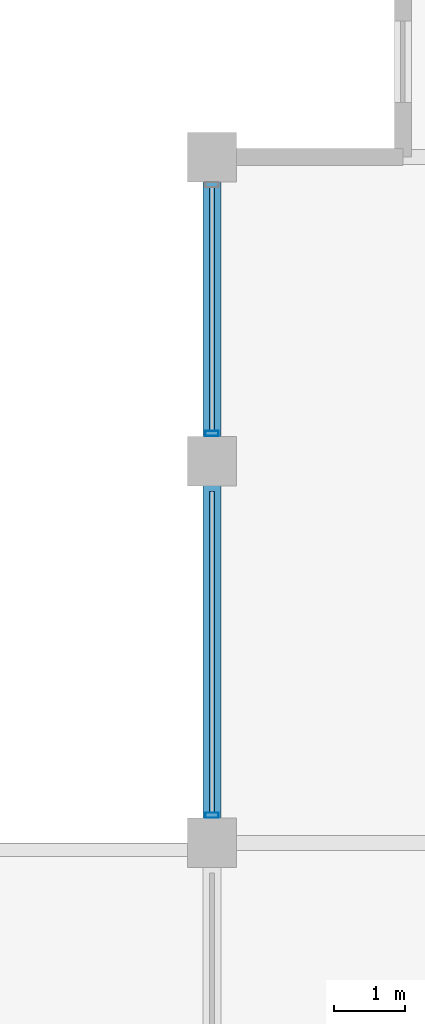
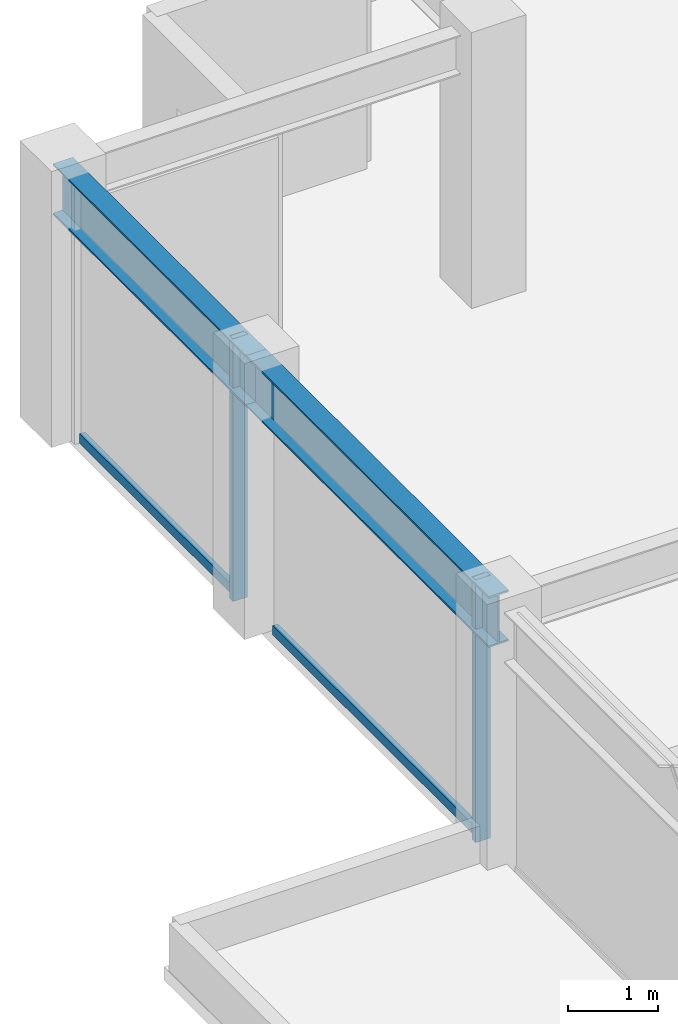
# One storey, part 12 of 31: 4 members, 2 beams, 1 element without a shape of its own.
"""IFC4 building model written with IfcOpenShell, lengths in metres."""

from ifc_helpers import new_model, si_unit, direction, frame, origin, origin_2d, place, context, subcontext, project, spatial, hollow_rectangle, i_section, extrude, material, layer, layer_set, material_profile, profile_set, type_object, element, aggregate, save


model = new_model("IFC4")

# Units and contexts
model_context = context("Model", 3, precision=1e-05, world=origin(), true_north=direction((0.0, 1.0)))
body_context = subcontext(model_context, "Body", "Model", "MODEL_VIEW")
ifc_project = project(units=[si_unit("LENGTHUNIT", "METRE"), si_unit("AREAUNIT", "SQUARE_METRE"), si_unit("VOLUMEUNIT", "CUBIC_METRE"), si_unit("PLANEANGLEUNIT", "RADIAN"), si_unit("MASSUNIT", "GRAM", prefix="KILO")], contexts=[model_context])

# Site, building, storey
site_placement = place(None, origin())
site = spatial("IfcSite", under=ifc_project, at=site_placement, CompositionType="ELEMENT")
building_placement = place(site_placement, origin())
building = spatial("IfcBuilding", under=site, at=building_placement, Name="Surkhivell Harbour Commons", CompositionType="ELEMENT")
storey_placement = place(building_placement, frame((0.0, 0.0, 270.0)))
storey = spatial("IfcBuildingStorey", under=building, at=storey_placement, Name="L70", CompositionType="ELEMENT", Elevation=270.0)

# Beams
ifc_material_1 = material(Name="Steel S355", Category="steel")
ifc_material_profile_1 = material_profile(ifc_material_1, i_section(OverallWidth=0.256103515625, OverallDepth=0.693115234375, WebThickness=0.014404296875, FlangeThickness=0.023681640625, at=origin_2d()), Name="UB686x254x170")
ifc_profile_set_1 = profile_set([ifc_material_profile_1], Name="Steel S355")
beam_type = type_object("IfcBeamType", Name="BM-SPN-686", PredefinedType="SPANDREL", material=ifc_profile_set_1)
beam_1_placement = place(storey_placement, frame((-27.0, 10.800048828125, 3.223388671875), z_axis=(0.0, 1.0, 0.0), x_axis=(-1.0, 0.0, 0.0)))
element("IfcBeam", 1, at=beam_1_placement, inside=storey, type_object=beam_type, Name="L70 Tube Spandrel (-27.0,10.8)", PredefinedType="SPANDREL", context=body_context, shape_type="SweptSolid", body=[
    extrude(i_section(OverallWidth=0.256103515625, OverallDepth=0.693115234375, WebThickness=0.014404296875, FlangeThickness=0.023681640625, at=origin_2d()), origin(), (0.0, 0.0, 1.0), 5.39990234375),
])
beam_2_placement = place(storey_placement, frame((-27.0, 16.199951171875, 3.223388671875), z_axis=(0.0, 1.0, 0.0), x_axis=(-1.0, 0.0, 0.0)))
element("IfcBeam", 2, at=beam_2_placement, inside=storey, type_object=beam_type, Name="L70 Tube Spandrel (-27.0,16.2)", PredefinedType="SPANDREL", context=body_context, shape_type="SweptSolid", body=[
    extrude(i_section(OverallWidth=0.256103515625, OverallDepth=0.693115234375, WebThickness=0.014404296875, FlangeThickness=0.023681640625, at=origin_2d()), origin(), (0.0, 0.0, 1.0), 4.300048828125),
])

# Curtain wall, members
ifc_material_2 = material(Name="Anodised pale-metal aluminium and insulated glazing", Category="aluminium")
ifc_layer = layer(ifc_material_2, 0.175048828125)
ifc_layer_set = layer_set([ifc_layer], Name="Anodised pale-metal aluminium and insulated glazing")
curtain_wall_type = type_object("IfcCurtainWallType", Name="CW-SYS-Z4", PredefinedType="NOTDEFINED", material=ifc_layer_set)
curtain_wall_placement = place(storey_placement, origin())
curtain_wall = element("IfcCurtainWall", 3, at=curtain_wall_placement, inside=storey, type_object=curtain_wall_type, Name="L70 Curtain Wall CW-L70-E12R2", PredefinedType="NOTDEFINED")
ifc_material_3 = material(Name="Anodised pale-metal aluminium alloy 6063-T6", Category="aluminium")
ifc_material_profile_2 = material_profile(ifc_material_3, hollow_rectangle(XDim=0.074951171875, YDim=0.18994140625, WallThickness=0.00390625, at=origin_2d()), Name="ALU-MULL-75x190")
ifc_profile_set_2 = profile_set([ifc_material_profile_2], Name="Anodised pale-metal aluminium alloy 6063-T6")
member_type_1 = type_object("IfcMemberType", Name="CWM-190", PredefinedType="MULLION", material=ifc_profile_set_2)
member_1_placement = place(storey_placement, frame((-27.0, 11.189453125, 0.0), z_axis=(0.0, 0.0, 1.0), x_axis=(0.0, 1.0, 0.0)))
member_1 = element("IfcMember", 4, at=member_1_placement, type_object=member_type_1, Name="CW-Z4 mullion 2", PredefinedType="MULLION", context=body_context, shape_type="SweptSolid", body=[
    extrude(hollow_rectangle(XDim=0.074951171875, YDim=0.18994140625, WallThickness=0.00390625, at=origin_2d()), origin(), (0.0, 0.0, 1.0), 3.570068359375),
])
member_2_placement = place(storey_placement, frame((-27.0, 16.589599609375, 0.0), z_axis=(0.0, 0.0, 1.0), x_axis=(0.0, 1.0, 0.0)))
member_2 = element("IfcMember", 5, at=member_2_placement, type_object=member_type_1, Name="CW-Z4 mullion 3", PredefinedType="MULLION", context=body_context, shape_type="SweptSolid", body=[
    extrude(hollow_rectangle(XDim=0.074951171875, YDim=0.18994140625, WallThickness=0.00390625, at=origin_2d()), origin(), (0.0, 0.0, 1.0), 3.570068359375),
])
ifc_material_4 = material(Name="Champagne anodised aluminium alloy 6063-T6", Category="aluminium")
ifc_material_profile_3 = material_profile(ifc_material_4, hollow_rectangle(XDim=0.070068359375, YDim=0.1298828125, WallThickness=0.00341796875, at=origin_2d()), Name="ALU-TRAN-70x130")
ifc_profile_set_3 = profile_set([ifc_material_profile_3], Name="Champagne anodised aluminium alloy 6063-T6")
member_type_2 = type_object("IfcMemberType", Name="CWT-130", PredefinedType="USERDEFINED", material=ifc_profile_set_3)
member_3_placement = place(storey_placement, frame((-27.0, 11.22705078125, 0.06494140625), z_axis=(0.0, 1.0, 0.0), x_axis=(-1.0, 0.0, 0.0)))
member_3 = element("IfcMember", 6, at=member_3_placement, type_object=member_type_2, Name="CW-Z4 transom 2.1", ObjectType="TRANSOM", PredefinedType="USERDEFINED", context=body_context, shape_type="SweptSolid", body=[
    extrude(hollow_rectangle(XDim=0.070068359375, YDim=0.1298828125, WallThickness=0.00341796875, at=origin_2d()), origin(), (0.0, 0.0, 1.0), 4.5458984375),
])
member_4_placement = place(storey_placement, frame((-27.0, 16.626953125, 0.06494140625), z_axis=(0.0, 1.0, 0.0), x_axis=(-1.0, 0.0, 0.0)))
member_4 = element("IfcMember", 7, at=member_4_placement, type_object=member_type_2, Name="CW-Z4 transom 3.1", ObjectType="TRANSOM", PredefinedType="USERDEFINED", context=body_context, shape_type="SweptSolid", body=[
    extrude(hollow_rectangle(XDim=0.070068359375, YDim=0.1298828125, WallThickness=0.00341796875, at=origin_2d()), origin(), (0.0, 0.0, 1.0), 3.446044921875),
])
aggregate(curtain_wall, [member_1, member_3, member_2, member_4])

save(model, "model.ifc")
